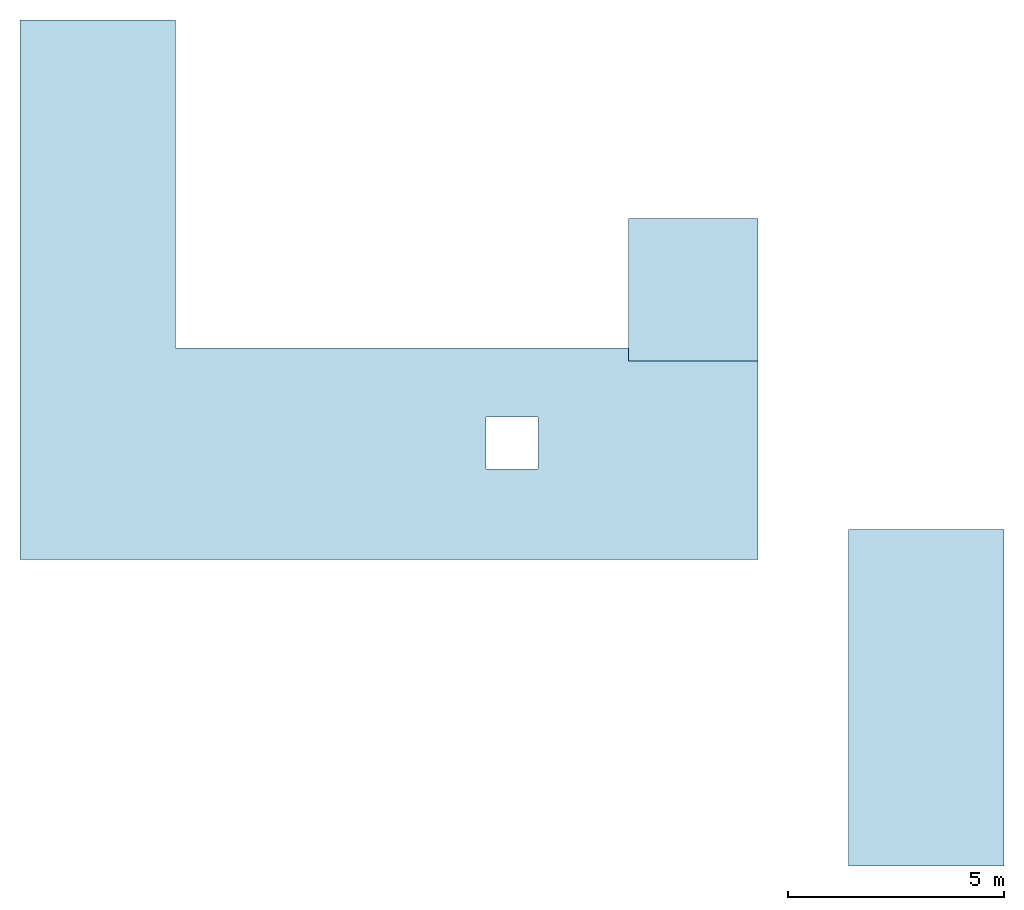
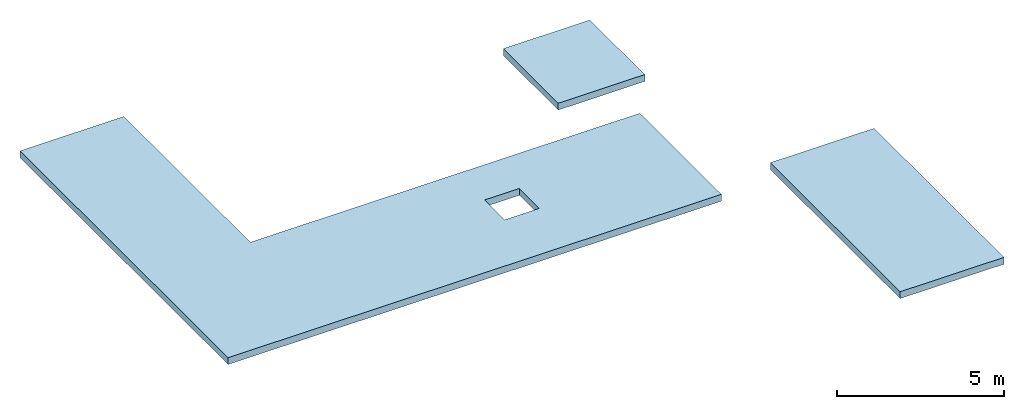
# One storey: 3 slabs.
"""IFC4 building model written with IfcOpenShell, lengths in metres."""

from ifc_helpers import new_model, si_unit, direction, frame, origin, place, context, subcontext, project, spatial, polyline, outline, extrude, material, layer, layer_set, type_object, element, save


model = new_model("IFC4")

# Units and contexts
model_context = context("Model", 3, precision=1e-05, world=origin(), true_north=direction((0.0, 1.0)))
body_context = subcontext(model_context, "Body", "Model", "MODEL_VIEW")
ifc_project = project(units=[si_unit("LENGTHUNIT", "METRE"), si_unit("AREAUNIT", "SQUARE_METRE"), si_unit("VOLUMEUNIT", "CUBIC_METRE"), si_unit("PLANEANGLEUNIT", "RADIAN"), si_unit("MASSUNIT", "GRAM", prefix="KILO")], contexts=[model_context])

# Site, building, storey
site_placement = place(None, origin())
site = spatial("IfcSite", under=ifc_project, at=site_placement, CompositionType="ELEMENT")
building_placement = place(site_placement, origin())
building = spatial("IfcBuilding", under=site, at=building_placement, Name="Torsade Residences", CompositionType="ELEMENT")
storey_placement = place(building_placement, frame((0.0, 0.0, 312.0)))
storey = spatial("IfcBuildingStorey", under=building, at=storey_placement, Name="RF-HH", CompositionType="ELEMENT", Elevation=312.0)

# Slabs
ifc_material = material(Name="Concrete 40 MPa", Category="concrete")
ifc_layer = layer(ifc_material, 0.25)
ifc_layer_set = layer_set([ifc_layer], Name="Concrete 40 MPa")
slab_type = type_object("IfcSlabType", Name="ROOF SLAB 250", PredefinedType="ROOF", material=ifc_layer_set)
slab_1_placement = place(storey_placement, origin())
element("IfcSlab", 1, at=slab_1_placement, inside=storey, type_object=slab_type, Name="Roof lift and stair lobby roof", PredefinedType="ROOF", context=body_context, shape_type="SweptSolid", body=[
    extrude(outline(polyline([(28.60009765625, 27.300048828125), (45.699951171875, 27.300048828125), (45.699951171875, 32.199951171875), (32.199951171875, 32.199951171875), (32.199951171875, 39.800048828125), (28.60009765625, 39.800048828125), (28.60009765625, 27.300048828125)]), holes=[polyline([(39.39990234375, 29.39990234375), (40.60009765625, 29.39990234375), (40.60009765625, 30.60009765625), (39.39990234375, 30.60009765625), (39.39990234375, 29.39990234375)])]), origin(), (0.0, 0.0, 1.0), 0.25),
])
slab_2_placement = place(storey_placement, frame((0.0, 0.0, 1.60009765625)))
element("IfcSlab", 2, at=slab_2_placement, inside=storey, type_object=slab_type, Name="Lift FL1 overrun roof", PredefinedType="ROOF", context=body_context, shape_type="SweptSolid", body=[
    extrude(outline(polyline([(42.699951171875, 31.89990234375), (45.699951171875, 31.89990234375), (45.699951171875, 35.199951171875), (42.699951171875, 35.199951171875), (42.699951171875, 31.89990234375)])), origin(), (0.0, 0.0, 1.0), 0.25),
])
slab_3_placement = place(storey_placement, origin())
element("IfcSlab", 3, at=slab_3_placement, inside=storey, type_object=slab_type, Name="Roof stair ST2 head-house roof", PredefinedType="ROOF", context=body_context, shape_type="SweptSolid", body=[
    extrude(outline(polyline([(47.800048828125, 20.199951171875), (51.39990234375, 20.199951171875), (51.39990234375, 28.0), (47.800048828125, 28.0), (47.800048828125, 20.199951171875)])), origin(), (0.0, 0.0, 1.0), 0.25),
])

save(model, "model.ifc")
